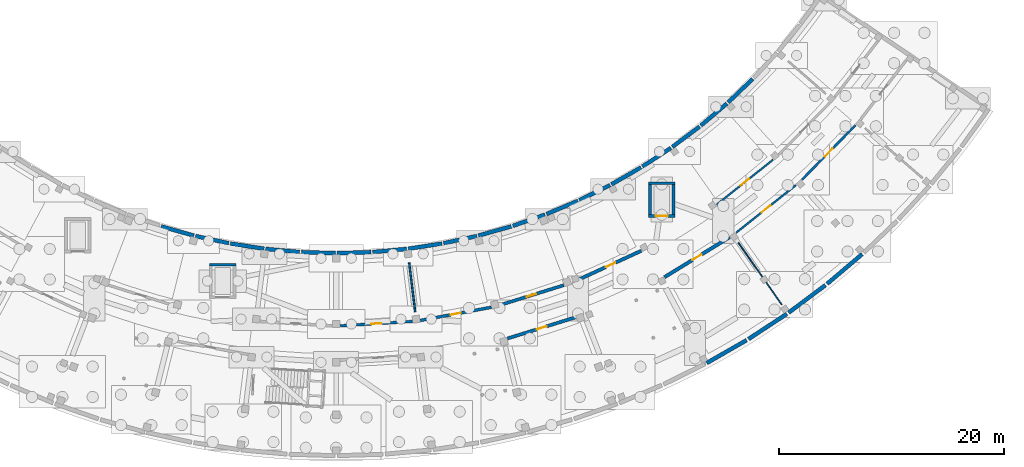
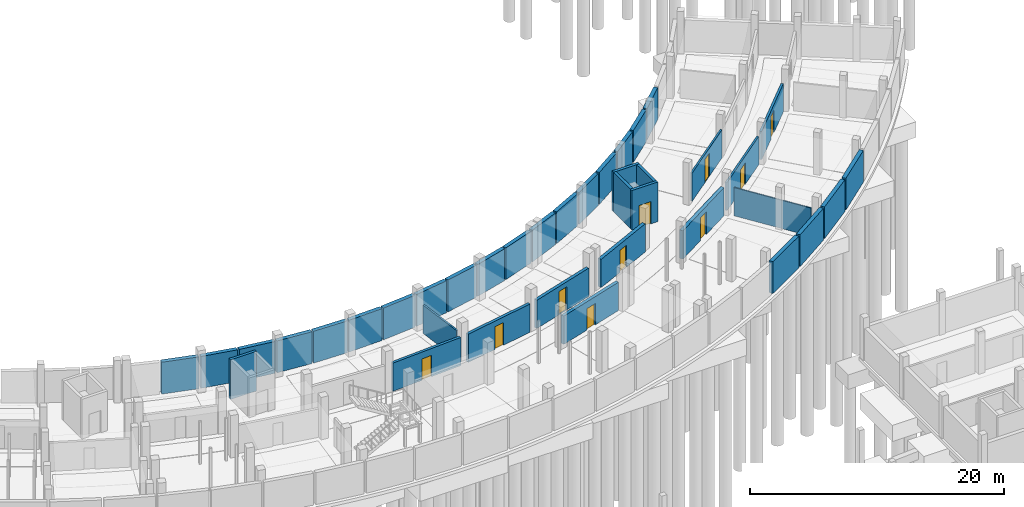
# One storey, part 42 of 58: 38 walls, 10 doors, 10 openings.
"""IFC4 building model written with IfcOpenShell, lengths in metres."""

from ifc_helpers import new_model, si_unit, direction, frame, frame_2d, origin, place, context, subcontext, project, spatial, rectangle, extrude, material, layer, layer_set, type_object, element, fill, save


model = new_model("IFC4")

# Units and contexts
model_context = context("Model", 3, precision=1e-05, world=origin(), true_north=direction((0.0, 1.0)))
body_context = subcontext(model_context, "Body", "Model", "MODEL_VIEW")
ifc_project = project(units=[si_unit("LENGTHUNIT", "METRE"), si_unit("AREAUNIT", "SQUARE_METRE"), si_unit("VOLUMEUNIT", "CUBIC_METRE"), si_unit("PLANEANGLEUNIT", "RADIAN"), si_unit("MASSUNIT", "GRAM", prefix="KILO")], contexts=[model_context])

# Site, building, storey
site_placement = place(None, origin())
site = spatial("IfcSite", under=ifc_project, at=site_placement, CompositionType="ELEMENT")
building_placement = place(site_placement, origin())
building = spatial("IfcBuilding", under=site, at=building_placement, Name="Caldaven Crescent School", CompositionType="ELEMENT")
storey_placement = place(building_placement, frame((0.0, 0.0, -4.080078125)))
storey = spatial("IfcBuildingStorey", under=building, at=storey_placement, Name="B1", CompositionType="ELEMENT", Elevation=-4.080078125)

# Walls
ifc_material_1 = material(Name="Concrete C35/45", Category="concrete")
ifc_layer_1 = layer(ifc_material_1, 0.300048828125)
ifc_layer_set_1 = layer_set([ifc_layer_1], Name="Concrete C35/45")
wall_type_1 = type_object("IfcWallType", Name="WAL-CW1", PredefinedType="SHEAR", material=ifc_layer_set_1)
for number, where, z_axis, x_axis, name in (
    (1, (76.729248046875, 42.977783203125, 0.0), (0.0, 0.0, 1.0), (1.0, 0.0, 0.0), "CW-LF5-B1-N"),
    (2, (115.771484375, 50.213623046875, 0.0), (0.0, 0.0, 1.0), (1.0, 0.0, 0.0), "CW-LF6-B1-N"),
):
    element("IfcWall", number, at=place(storey_placement, frame(where, z_axis=z_axis, x_axis=x_axis)), inside=storey, type_object=wall_type_1, Name=name, PredefinedType="SHEAR", context=body_context, shape_type="SweptSolid", body=[
        extrude(rectangle(XDim=2.349853515625, YDim=0.25, at=frame_2d((1.1748046875, 0.0))), origin(), (0.0, 0.0, 1.0), 3.820068359375),
    ])

# Wall, opening, door
wall_1_placement = place(storey_placement, frame((115.771484375, 47.313720703125, 0.0), z_axis=(0.0, 0.0, 1.0), x_axis=(1.0, 0.0, 0.0)))
wall_1 = element("IfcWall", 3, at=wall_1_placement, inside=storey, type_object=wall_type_1, Name="CW-LF6-B1-S", PredefinedType="SHEAR", context=body_context, shape_type="SweptSolid", body=[
    extrude(rectangle(XDim=2.349853515625, YDim=0.25, at=frame_2d((1.1748046875, 0.0))), origin(), (0.0, 0.0, 1.0), 3.820068359375),
])
opening_1_placement = place(wall_1_placement, frame((0.625, 0.0, 0.0)))
opening_1 = element("IfcOpeningElement", 4, at=opening_1_placement, cuts=wall_1, Name="Opening LD-LF6-B1", PredefinedType="OPENING", context=body_context, shape_type="SweptSolid", body=[
    extrude(rectangle(XDim=1.10009765625, YDim=2.14990234375, at=frame_2d((0.550048828125, 1.074951171875))), frame((0.0, 0.135009765625, 0.0), z_axis=(0.0, -1.0, 0.0), x_axis=(1.0, 0.0, 0.0)), (0.0, 0.0, 1.0), 0.27001953125),
])
ifc_material_2 = material(Name="Brushed stainless-steel automatic telescopic landing door", Category="steel")
door_type_1 = type_object("IfcDoorType", Name="DOR-LD01", OperationType="DOUBLE_DOOR_SLIDING", PredefinedType="DOOR", material=ifc_material_2)
door_1_placement = place(opening_1_placement, origin())
door_1 = element("IfcDoor", 5, at=door_1_placement, inside=storey, type_object=door_type_1, Name="DOR-LD-LF6-B1", OperationType="DOUBLE_DOOR_SLIDING", OverallHeight=2.14990234375, OverallWidth=1.10009765625, PredefinedType="DOOR", context=body_context, shape_type="SweptSolid", body=[
    extrude(rectangle(XDim=1.10009765625, YDim=2.14990234375, at=frame_2d((0.550048828125, 1.074951171875))), frame((0.0, 0.02490234375, 0.0), z_axis=(0.0, -1.0, 0.0), x_axis=(1.0, 0.0, 0.0)), (0.0, 0.0, 1.0), 0.050048828125),
])
fill(opening_1, door_1)

# Walls
ifc_layer_2 = layer(ifc_material_1, 0.25)
ifc_layer_set_2 = layer_set([ifc_layer_2], Name="Concrete C35/45")
wall_type_2 = type_object("IfcWallType", Name="WAL-CW2", PredefinedType="SHEAR", material=ifc_layer_set_2)
for number, where, z_axis, x_axis, name in (
    (6, (115.896484375, 47.438720703125, 0.0), (0.0, 0.0, 1.0), (0.0, 1.0, 0.0), "CW-LF6-B1-W"),
    (7, (117.996337890625, 47.438720703125, 0.0), (0.0, 0.0, 1.0), (0.0, 1.0, 0.0), "CW-LF6-B1-E"),
):
    element("IfcWall", number, at=place(storey_placement, frame(where, z_axis=z_axis, x_axis=x_axis)), inside=storey, type_object=wall_type_2, Name=name, PredefinedType="SHEAR", context=body_context, shape_type="SweptSolid", body=[
        extrude(rectangle(XDim=2.64990234375, YDim=0.25, at=frame_2d((1.324951171875, 0.0))), origin(), (0.0, 0.0, 1.0), 3.820068359375),
    ])

# Wall, opening, door
ifc_material_3 = material(Name="Acoustic timber-stud and fire-rated gypsum board assembly", Category="wood")
ifc_layer_3 = layer(ifc_material_3, 0.159912109375)
ifc_layer_set_3 = layer_set([ifc_layer_3], Name="Acoustic timber-stud and fire-rated gypsum board assembly")
wall_type_3 = type_object("IfcWallType", Name="WAL-IW01", PredefinedType="STANDARD", material=ifc_layer_set_3)
wall_2_placement = place(storey_placement, frame((121.824462890625, 48.320068359375, 0.0), z_axis=(0.0, 0.0, 1.0), x_axis=(0.782605685559, 0.622517743467, 0.0)))
wall_2 = element("IfcWall", 8, at=wall_2_placement, inside=storey, type_object=wall_type_3, Name="IW-B1-0160", PredefinedType="STANDARD", context=body_context, shape_type="SweptSolid", body=[
    extrude(rectangle(XDim=6.42041015625, YDim=0.159912109375, at=frame_2d((3.210205078125, 0.0))), origin(), (0.0, 0.0, 1.0), 2.719970703125),
])
opening_2_placement = place(wall_2_placement, frame((2.739990234375, 0.0, 0.0)))
opening_2 = element("IfcOpeningElement", 9, at=opening_2_placement, cuts=wall_2, Name="Opening D-B1-I111", PredefinedType="OPENING", context=body_context, shape_type="SweptSolid", body=[
    extrude(rectangle(XDim=0.93994140625, YDim=2.239990234375, at=frame_2d((0.469970703125, 1.1201171875))), frame((0.0, 0.08984375, 0.0), z_axis=(0.0, -1.0, 0.0), x_axis=(1.0, 0.0, 0.0)), (0.0, 0.0, 1.0), 0.179931640625),
])
ifc_material_4 = material(Name="Solid-core Pino Radiata acoustic timber leaf in steel frame", Category="steel")
door_type_2 = type_object("IfcDoorType", Name="DOR-ID12", OperationType="NOTDEFINED", PredefinedType="DOOR", material=ifc_material_4)
door_2_placement = place(opening_2_placement, frame((0.93994140625, 0.0, 0.0), z_axis=(0.0, 0.0, 1.0), x_axis=(-1.0, 0.0, 0.0)))
door_2 = element("IfcDoor", 10, at=door_2_placement, inside=storey, type_object=door_type_2, Name="DOR-INT-B1-0111", OperationType="SINGLE_SWING_RIGHT", OverallHeight=2.239990234375, OverallWidth=0.93994140625, PredefinedType="DOOR", context=body_context, shape_type="SweptSolid", body=[
    extrude(rectangle(XDim=0.93994140625, YDim=2.239990234375, at=frame_2d((0.469970703125, 1.1201171875))), frame((0.0, 0.02490234375, 0.0), z_axis=(0.0, -1.0, 0.0), x_axis=(1.0, 0.0, 0.0)), (0.0, 0.0, 1.0), 0.050048828125),
])
fill(opening_2, door_2)

ifc_layer_4 = layer(ifc_material_3, 0.169921875)
ifc_layer_set_4 = layer_set([ifc_layer_4], Name="Acoustic timber-stud and fire-rated gypsum board assembly")
wall_type_4 = type_object("IfcWallType", Name="WAL-IW02", PredefinedType="STANDARD", material=ifc_layer_set_4)
wall_3_placement = place(storey_placement, frame((123.568115234375, 45.829833984375, 0.0), z_axis=(0.0, 0.0, 1.0), x_axis=(0.782615780998, 0.622505051653, 0.0)))
wall_3 = element("IfcWall", 11, at=wall_3_placement, inside=storey, type_object=wall_type_4, Name="IW-B1-0161", PredefinedType="STANDARD", context=body_context, shape_type="SweptSolid", body=[
    extrude(rectangle(XDim=6.79150390625, YDim=0.169921875, at=frame_2d((3.395751953125, 0.0))), origin(), (0.0, 0.0, 1.0), 2.719970703125),
])
opening_3_placement = place(wall_3_placement, frame((2.90576171875, 0.0, 0.0)))
opening_3 = element("IfcOpeningElement", 12, at=opening_3_placement, cuts=wall_3, Name="Opening D-B1-I112", PredefinedType="OPENING", context=body_context, shape_type="SweptSolid", body=[
    extrude(rectangle(XDim=0.97998046875, YDim=2.06005859375, at=frame_2d((0.489990234375, 1.030029296875))), frame((0.0, 0.094970703125, 0.0), z_axis=(0.0, -1.0, 0.0), x_axis=(1.0, 0.0, 0.0)), (0.0, 0.0, 1.0), 0.18994140625),
])
door_type_3 = type_object("IfcDoorType", Name="DOR-ID13", OperationType="NOTDEFINED", PredefinedType="DOOR", material=ifc_material_4)
door_3_placement = place(opening_3_placement, origin())
door_3 = element("IfcDoor", 13, at=door_3_placement, inside=storey, type_object=door_type_3, Name="DOR-INT-B1-0112", OperationType="SINGLE_SWING_LEFT", OverallHeight=2.06005859375, OverallWidth=0.97998046875, PredefinedType="DOOR", context=body_context, shape_type="SweptSolid", body=[
    extrude(rectangle(XDim=0.97998046875, YDim=2.06005859375, at=frame_2d((0.489990234375, 1.030029296875))), frame((0.0, 0.02490234375, 0.0), z_axis=(0.0, -1.0, 0.0), x_axis=(1.0, 0.0, 0.0)), (0.0, 0.0, 1.0), 0.050048828125),
])
fill(opening_3, door_3)

ifc_layer_5 = layer(ifc_material_3, 0.199951171875)
ifc_layer_set_5 = layer_set([ifc_layer_5], Name="Acoustic timber-stud and fire-rated gypsum board assembly")
wall_type_5 = type_object("IfcWallType", Name="WAL-IW05", PredefinedType="STANDARD", material=ifc_layer_set_5)
wall_4_placement = place(storey_placement, frame((129.417236328125, 50.53857421875, 0.0), z_axis=(0.0, 0.0, 1.0), x_axis=(0.700914816473, 0.713244993006, 0.0)))
wall_4 = element("IfcWall", 14, at=wall_4_placement, inside=storey, type_object=wall_type_5, Name="IW-B1-0164", PredefinedType="STANDARD", context=body_context, shape_type="SweptSolid", body=[
    extrude(rectangle(XDim=6.79150390625, YDim=0.199951171875, at=frame_2d((3.395751953125, 0.0))), origin(), (0.0, 0.0, 1.0), 2.719970703125),
])
opening_4_placement = place(wall_4_placement, frame((2.90576171875, 0.0, 0.0)))
opening_4 = element("IfcOpeningElement", 15, at=opening_4_placement, cuts=wall_4, Name="Opening D-B1-I114", PredefinedType="OPENING", context=body_context, shape_type="SweptSolid", body=[
    extrude(rectangle(XDim=0.97998046875, YDim=2.179931640625, at=frame_2d((0.489990234375, 1.08984375))), frame((0.0, 0.10986328125, 0.0), z_axis=(0.0, -1.0, 0.0), x_axis=(1.0, 0.0, 0.0)), (0.0, 0.0, 1.0), 0.219970703125),
])
door_type_4 = type_object("IfcDoorType", Name="DOR-ID15", OperationType="NOTDEFINED", PredefinedType="DOOR", material=ifc_material_4)
door_4_placement = place(opening_4_placement, origin())
door_4 = element("IfcDoor", 16, at=door_4_placement, inside=storey, type_object=door_type_4, Name="DOR-INT-B1-0114", OperationType="SINGLE_SWING_LEFT", OverallHeight=2.179931640625, OverallWidth=0.97998046875, PredefinedType="DOOR", context=body_context, shape_type="SweptSolid", body=[
    extrude(rectangle(XDim=0.97998046875, YDim=2.179931640625, at=frame_2d((0.489990234375, 1.08984375))), frame((0.0, 0.02490234375, 0.0), z_axis=(0.0, -1.0, 0.0), x_axis=(1.0, 0.0, 0.0)), (0.0, 0.0, 1.0), 0.050048828125),
])
fill(opening_4, door_4)

ifc_layer_6 = layer(ifc_material_3, 0.239990234375)
ifc_layer_set_6 = layer_set([ifc_layer_6], Name="Acoustic timber-stud and fire-rated gypsum board assembly")
wall_type_6 = type_object("IfcWallType", Name="WAL-IW09", PredefinedType="STANDARD", material=ifc_layer_set_6)
wall_5_placement = place(storey_placement, frame((88.359375, 37.5419921875, 0.0), z_axis=(0.0, 0.0, 1.0), x_axis=(0.998135716959, 0.061033519724, 0.0)))
wall_5 = element("IfcWall", 17, at=wall_5_placement, inside=storey, type_object=wall_type_6, Name="IW-B1-0152", PredefinedType="STANDARD", context=body_context, shape_type="SweptSolid", body=[
    extrude(rectangle(XDim=6.420166015625, YDim=0.239990234375, at=frame_2d((3.2099609375, 0.0))), origin(), (0.0, 0.0, 1.0), 2.719970703125),
])
opening_5_placement = place(wall_5_placement, frame((2.760009765625, 0.0, 0.0)))
opening_5 = element("IfcOpeningElement", 18, at=opening_5_placement, cuts=wall_5, Name="Opening D-B1-I104", PredefinedType="OPENING", context=body_context, shape_type="SweptSolid", body=[
    extrude(rectangle(XDim=0.89990234375, YDim=2.06005859375, at=frame_2d((0.449951171875, 1.030029296875))), frame((0.0, 0.1298828125, 0.0), z_axis=(0.0, -1.0, 0.0), x_axis=(1.0, 0.0, 0.0)), (0.0, 0.0, 1.0), 0.260009765625),
])
door_type_5 = type_object("IfcDoorType", Name="DOR-ID05", OperationType="NOTDEFINED", PredefinedType="DOOR", material=ifc_material_4)
door_5_placement = place(opening_5_placement, frame((0.89990234375, 0.0, 0.0), z_axis=(0.0, 0.0, 1.0), x_axis=(-1.0, 0.0, 0.0)))
door_5 = element("IfcDoor", 19, at=door_5_placement, inside=storey, type_object=door_type_5, Name="DOR-INT-B1-0104", OperationType="SINGLE_SWING_LEFT", OverallHeight=2.06005859375, OverallWidth=0.89990234375, PredefinedType="DOOR", context=body_context, shape_type="SweptSolid", body=[
    extrude(rectangle(XDim=0.89990234375, YDim=2.06005859375, at=frame_2d((0.449951171875, 1.030029296875))), frame((0.0, 0.02490234375, 0.0), z_axis=(0.0, -1.0, 0.0), x_axis=(1.0, 0.0, 0.0)), (0.0, 0.0, 1.0), 0.050048828125),
])
fill(opening_5, door_5)

ifc_layer_7 = layer(ifc_material_3, 0.260009765625)
ifc_layer_set_7 = layer_set([ifc_layer_7], Name="Acoustic timber-stud and fire-rated gypsum board assembly")
wall_type_7 = type_object("IfcWallType", Name="WAL-IW11", PredefinedType="STANDARD", material=ifc_layer_set_7)
wall_6_placement = place(storey_placement, frame((95.48095703125, 38.021484375, 0.0), z_axis=(0.0, 0.0, 1.0), x_axis=(0.983257031249, 0.182224066742, 0.0)))
wall_6 = element("IfcWall", 20, at=wall_6_placement, inside=storey, type_object=wall_type_7, Name="IW-B1-0154", PredefinedType="STANDARD", context=body_context, shape_type="SweptSolid", body=[
    extrude(rectangle(XDim=6.420166015625, YDim=0.260009765625, at=frame_2d((3.2099609375, 0.0))), origin(), (0.0, 0.0, 1.0), 2.719970703125),
])
opening_6_placement = place(wall_6_placement, frame((2.760009765625, 0.0, 0.0)))
opening_6 = element("IfcOpeningElement", 21, at=opening_6_placement, cuts=wall_6, Name="Opening D-B1-I106", PredefinedType="OPENING", context=body_context, shape_type="SweptSolid", body=[
    extrude(rectangle(XDim=0.89990234375, YDim=2.179931640625, at=frame_2d((0.449951171875, 1.08984375))), frame((0.0, 0.139892578125, 0.0), z_axis=(0.0, -1.0, 0.0), x_axis=(1.0, 0.0, 0.0)), (0.0, 0.0, 1.0), 0.280029296875),
])
door_type_6 = type_object("IfcDoorType", Name="DOR-ID07", OperationType="NOTDEFINED", PredefinedType="DOOR", material=ifc_material_4)
door_6_placement = place(opening_6_placement, frame((0.89990234375, 0.0, 0.0), z_axis=(0.0, 0.0, 1.0), x_axis=(-1.0, 0.0, 0.0)))
door_6 = element("IfcDoor", 22, at=door_6_placement, inside=storey, type_object=door_type_6, Name="DOR-INT-B1-0106", OperationType="SINGLE_SWING_LEFT", OverallHeight=2.179931640625, OverallWidth=0.89990234375, PredefinedType="DOOR", context=body_context, shape_type="SweptSolid", body=[
    extrude(rectangle(XDim=0.89990234375, YDim=2.179931640625, at=frame_2d((0.449951171875, 1.08984375))), frame((0.0, 0.02490234375, 0.0), z_axis=(0.0, -1.0, 0.0), x_axis=(1.0, 0.0, 0.0)), (0.0, 0.0, 1.0), 0.050048828125),
])
fill(opening_6, door_6)

ifc_material_5 = material(Name="Autoclaved aerated concrete block masonry G5", Category="masonry")
ifc_layer_8 = layer(ifc_material_5, 0.280029296875)
ifc_layer_set_8 = layer_set([ifc_layer_8], Name="Autoclaved aerated concrete block masonry G5")
wall_type_8 = type_object("IfcWallType", Name="WAL-IW13", PredefinedType="STANDARD", material=ifc_layer_set_8)
wall_7_placement = place(storey_placement, frame((102.4912109375, 39.3642578125, 0.0), z_axis=(0.0, 0.0, 1.0), x_axis=(0.954756741519, 0.297387902451, 0.0)))
wall_7 = element("IfcWall", 23, at=wall_7_placement, inside=storey, type_object=wall_type_8, Name="IW-B1-0156", PredefinedType="STANDARD", context=body_context, shape_type="SweptSolid", body=[
    extrude(rectangle(XDim=6.018310546875, YDim=0.280029296875, at=frame_2d((3.00927734375, 0.0))), origin(), (0.0, 0.0, 1.0), 2.719970703125),
])
opening_7_placement = place(wall_7_placement, frame((2.55908203125, 0.0, 0.0)))
opening_7 = element("IfcOpeningElement", 24, at=opening_7_placement, cuts=wall_7, Name="Opening D-B1-I107", PredefinedType="OPENING", context=body_context, shape_type="SweptSolid", body=[
    extrude(rectangle(XDim=0.89990234375, YDim=2.239990234375, at=frame_2d((0.449951171875, 1.1201171875))), frame((0.0, 0.14990234375, 0.0), z_axis=(0.0, -1.0, 0.0), x_axis=(1.0, 0.0, 0.0)), (0.0, 0.0, 1.0), 0.300048828125),
])
door_type_7 = type_object("IfcDoorType", Name="DOR-ID08", OperationType="NOTDEFINED", PredefinedType="DOOR", material=ifc_material_4)
door_7_placement = place(opening_7_placement, frame((0.89990234375, 0.0, 0.0), z_axis=(0.0, 0.0, 1.0), x_axis=(-1.0, 0.0, 0.0)))
door_7 = element("IfcDoor", 25, at=door_7_placement, inside=storey, type_object=door_type_7, Name="DOR-INT-B1-0107", OperationType="SINGLE_SWING_RIGHT", OverallHeight=2.239990234375, OverallWidth=0.89990234375, PredefinedType="DOOR", context=body_context, shape_type="SweptSolid", body=[
    extrude(rectangle(XDim=0.89990234375, YDim=2.239990234375, at=frame_2d((0.449951171875, 1.1201171875))), frame((0.0, 0.02490234375, 0.0), z_axis=(0.0, -1.0, 0.0), x_axis=(1.0, 0.0, 0.0)), (0.0, 0.0, 1.0), 0.050048828125),
])
fill(opening_7, door_7)

ifc_layer_9 = layer(ifc_material_5, 0.2900390625)
ifc_layer_set_9 = layer_set([ifc_layer_9], Name="Autoclaved aerated concrete block masonry G5")
wall_type_9 = type_object("IfcWallType", Name="WAL-IW14", PredefinedType="STANDARD", material=ifc_layer_set_9)
wall_8_placement = place(storey_placement, frame((103.226806640625, 36.41455078125, 0.0), z_axis=(0.0, 0.0, 1.0), x_axis=(0.954750390155, 0.297408292585, 0.0)))
wall_8 = element("IfcWall", 26, at=wall_8_placement, inside=storey, type_object=wall_type_9, Name="IW-B1-0157", PredefinedType="STANDARD", context=body_context, shape_type="SweptSolid", body=[
    extrude(rectangle(XDim=6.368408203125, YDim=0.2900390625, at=frame_2d((3.18408203125, 0.0))), origin(), (0.0, 0.0, 1.0), 2.719970703125),
])
opening_8_placement = place(wall_8_placement, frame((2.71435546875, 0.0, 0.0)))
opening_8 = element("IfcOpeningElement", 27, at=opening_8_placement, cuts=wall_8, Name="Opening D-B1-I108", PredefinedType="OPENING", context=body_context, shape_type="SweptSolid", body=[
    extrude(rectangle(XDim=0.93994140625, YDim=2.06005859375, at=frame_2d((0.469970703125, 1.030029296875))), frame((0.0, 0.155029296875, 0.0), z_axis=(0.0, -1.0, 0.0), x_axis=(1.0, 0.0, 0.0)), (0.0, 0.0, 1.0), 0.31005859375),
])
door_type_8 = type_object("IfcDoorType", Name="DOR-ID09", OperationType="NOTDEFINED", PredefinedType="DOOR", material=ifc_material_4)
door_8_placement = place(opening_8_placement, origin())
door_8 = element("IfcDoor", 28, at=door_8_placement, inside=storey, type_object=door_type_8, Name="DOR-INT-B1-0108", OperationType="SINGLE_SWING_LEFT", OverallHeight=2.06005859375, OverallWidth=0.93994140625, PredefinedType="DOOR", context=body_context, shape_type="SweptSolid", body=[
    extrude(rectangle(XDim=0.93994140625, YDim=2.06005859375, at=frame_2d((0.469970703125, 1.030029296875))), frame((0.0, 0.02490234375, 0.0), z_axis=(0.0, -1.0, 0.0), x_axis=(1.0, 0.0, 0.0)), (0.0, 0.0, 1.0), 0.050048828125),
])
fill(opening_8, door_8)

ifc_layer_10 = layer(ifc_material_5, 0.300048828125)
ifc_layer_set_10 = layer_set([ifc_layer_10], Name="Autoclaved aerated concrete block masonry G5")
wall_type_10 = type_object("IfcWallType", Name="WAL-IW15", PredefinedType="STANDARD", material=ifc_layer_set_10)
wall_9_placement = place(storey_placement, frame((109.659912109375, 41.7001953125, 0.0), z_axis=(0.0, 0.0, 1.0), x_axis=(0.908523717144, 0.417833286595, 0.0)))
wall_9 = element("IfcWall", 29, at=wall_9_placement, inside=storey, type_object=wall_type_10, Name="IW-B1-0158", PredefinedType="STANDARD", context=body_context, shape_type="SweptSolid", body=[
    extrude(rectangle(XDim=6.018310546875, YDim=0.300048828125, at=frame_2d((3.00927734375, 0.0))), origin(), (0.0, 0.0, 1.0), 2.719970703125),
])
opening_9_placement = place(wall_9_placement, frame((2.5390625, 0.0, 0.0)))
opening_9 = element("IfcOpeningElement", 30, at=opening_9_placement, cuts=wall_9, Name="Opening D-B1-I109", PredefinedType="OPENING", context=body_context, shape_type="SweptSolid", body=[
    extrude(rectangle(XDim=0.93994140625, YDim=2.1201171875, at=frame_2d((0.469970703125, 1.06005859375))), frame((0.0, 0.159912109375, 0.0), z_axis=(0.0, -1.0, 0.0), x_axis=(1.0, 0.0, 0.0)), (0.0, 0.0, 1.0), 0.320068359375),
])
door_type_9 = type_object("IfcDoorType", Name="DOR-ID10", OperationType="NOTDEFINED", PredefinedType="DOOR", material=ifc_material_4)
door_9_placement = place(opening_9_placement, frame((0.93994140625, 0.0, 0.0), z_axis=(0.0, 0.0, 1.0), x_axis=(-1.0, 0.0, 0.0)))
door_9 = element("IfcDoor", 31, at=door_9_placement, inside=storey, type_object=door_type_9, Name="DOR-INT-B1-0109", OperationType="SINGLE_SWING_RIGHT", OverallHeight=2.1201171875, OverallWidth=0.93994140625, PredefinedType="DOOR", context=body_context, shape_type="SweptSolid", body=[
    extrude(rectangle(XDim=0.93994140625, YDim=2.1201171875, at=frame_2d((0.469970703125, 1.06005859375))), frame((0.0, 0.02490234375, 0.0), z_axis=(0.0, -1.0, 0.0), x_axis=(1.0, 0.0, 0.0)), (0.0, 0.0, 1.0), 0.050048828125),
])
fill(opening_9, door_9)

ifc_layer_11 = layer(ifc_material_5, 0.31005859375)
ifc_layer_set_11 = layer_set([ifc_layer_11], Name="Autoclaved aerated concrete block masonry G5")
wall_type_11 = type_object("IfcWallType", Name="WAL-IW16", PredefinedType="STANDARD", material=ifc_layer_set_11)
wall_10_placement = place(storey_placement, frame((117.188720703125, 41.869140625, 0.0), z_axis=(0.0, 0.0, 1.0), x_axis=(0.852640514979, 0.522497992547, 0.0)))
wall_10 = element("IfcWall", 32, at=wall_10_placement, inside=storey, type_object=wall_type_11, Name="IW-B1-0159", PredefinedType="STANDARD", context=body_context, shape_type="SweptSolid", body=[
    extrude(rectangle(XDim=6.79150390625, YDim=0.31005859375, at=frame_2d((3.395751953125, 0.0))), origin(), (0.0, 0.0, 1.0), 2.719970703125),
])
opening_10_placement = place(wall_10_placement, frame((2.92578125, 0.0, 0.0)))
opening_10 = element("IfcOpeningElement", 33, at=opening_10_placement, cuts=wall_10, Name="Opening D-B1-I110", PredefinedType="OPENING", context=body_context, shape_type="SweptSolid", body=[
    extrude(rectangle(XDim=0.93994140625, YDim=2.179931640625, at=frame_2d((0.469970703125, 1.08984375))), frame((0.0, 0.1650390625, 0.0), z_axis=(0.0, -1.0, 0.0), x_axis=(1.0, 0.0, 0.0)), (0.0, 0.0, 1.0), 0.330078125),
])
door_type_10 = type_object("IfcDoorType", Name="DOR-ID11", OperationType="NOTDEFINED", PredefinedType="DOOR", material=ifc_material_4)
door_10_placement = place(opening_10_placement, origin())
door_10 = element("IfcDoor", 34, at=door_10_placement, inside=storey, type_object=door_type_10, Name="DOR-INT-B1-0110", OperationType="SINGLE_SWING_LEFT", OverallHeight=2.179931640625, OverallWidth=0.93994140625, PredefinedType="DOOR", context=body_context, shape_type="SweptSolid", body=[
    extrude(rectangle(XDim=0.93994140625, YDim=2.179931640625, at=frame_2d((0.469970703125, 1.08984375))), frame((0.0, 0.02490234375, 0.0), z_axis=(0.0, -1.0, 0.0), x_axis=(1.0, 0.0, 0.0)), (0.0, 0.0, 1.0), 0.050048828125),
])
fill(opening_10, door_10)

# Walls
ifc_material_6 = material(Name="Acoustic double-layer gypsum partition on galvanised steel studs", Category="steel")
ifc_layer_12 = layer(ifc_material_6, 0.097900390625)
ifc_layer_set_12 = layer_set([ifc_layer_12], Name="Acoustic double-layer gypsum partition on galvanised steel studs")
wall_type_12 = type_object("IfcWallType", Name="WAL-PT03", PredefinedType="PARTITIONING", material=ifc_layer_set_12)
wall_11_placement = place(storey_placement, frame((123.762451171875, 44.92578125, 0.0), z_axis=(0.0, 0.0, 1.0), x_axis=(0.57358461614, -0.819146316678, 0.0)))
element("IfcWall", 35, at=wall_11_placement, inside=storey, type_object=wall_type_12, Name="IW-B1-0162", PredefinedType="PARTITIONING", context=body_context, shape_type="SweptSolid", body=[
    extrude(rectangle(XDim=6.699951171875, YDim=0.097900390625, at=frame_2d((3.35009765625, 0.0))), origin(), (0.0, 0.0, 1.0), 2.719970703125),
])
ifc_layer_13 = layer(ifc_material_6, 0.152099609375)
ifc_layer_set_13 = layer_set([ifc_layer_13], Name="Acoustic double-layer gypsum partition on galvanised steel studs")
wall_type_13 = type_object("IfcWallType", Name="WAL-PT12", PredefinedType="PARTITIONING", material=ifc_layer_set_13)
wall_12_placement = place(storey_placement, frame((94.489501953125, 43.14697265625, 0.0), z_axis=(0.0, 0.0, 1.0), x_axis=(0.121903768305, -0.992541924189, 0.0)))
element("IfcWall", 36, at=wall_12_placement, inside=storey, type_object=wall_type_13, Name="IW-B1-0155", PredefinedType="PARTITIONING", context=body_context, shape_type="SweptSolid", body=[
    extrude(rectangle(XDim=4.39990234375, YDim=0.152099609375, at=frame_2d((2.199951171875, 0.0))), origin(), (0.0, 0.0, 1.0), 2.719970703125),
])
ifc_material_7 = material(Name="Concrete C30/37", Category="concrete")
ifc_layer_14 = layer(ifc_material_7, 0.35009765625)
ifc_layer_set_14 = layer_set([ifc_layer_14], Name="Concrete C30/37")
wall_type_14 = type_object("IfcWallType", Name="WAL-RW1", PredefinedType="USERDEFINED", material=ifc_layer_set_14)
wall_13_placement = place(storey_placement, frame((72.4326171875, 46.385009765625, 0.0), z_axis=(0.0, 0.0, 1.0), x_axis=(0.962448596704, -0.271463991538, 0.0)))
element("IfcWall", 37, at=wall_13_placement, inside=storey, type_object=wall_type_14, Name="RW-CRESC-IN-11", ObjectType="RETAININGWALL", PredefinedType="USERDEFINED", context=body_context, shape_type="SweptSolid", body=[
    extrude(rectangle(XDim=3.03076171875, YDim=0.35009765625, at=frame_2d((1.515380859375, 0.0))), origin(), (0.0, 0.0, 1.0), 3.065185546875),
])
for number, where, z_axis, x_axis, name in (
    (38, (75.490478515625, 45.527099609375, 0.0), (0.0, 0.0, 1.0), (0.977233034008, -0.212168794228, 0.0), "RW-CRESC-IN-12"),
    (39, (78.59521484375, 44.857666015625, 0.0), (0.0, 0.0, 1.0), (0.98835586154, -0.152160083329, 0.0), "RW-CRESC-IN-13"),
):
    element("IfcWall", number, at=place(storey_placement, frame(where, z_axis=z_axis, x_axis=x_axis)), inside=storey, type_object=wall_type_14, Name=name, ObjectType="RETAININGWALL", PredefinedType="USERDEFINED", context=body_context, shape_type="SweptSolid", body=[
        extrude(rectangle(XDim=3.031005859375, YDim=0.35009765625, at=frame_2d((1.515625, 0.0))), origin(), (0.0, 0.0, 1.0), 3.065185546875),
    ])
wall_14_placement = place(storey_placement, frame((81.73486328125, 44.37890625, 0.0), z_axis=(0.0, 0.0, 1.0), x_axis=(0.995804253947, -0.0915089494, 0.0)))
element("IfcWall", 40, at=wall_14_placement, inside=storey, type_object=wall_type_14, Name="RW-CRESC-IN-14", ObjectType="RETAININGWALL", PredefinedType="USERDEFINED", context=body_context, shape_type="SweptSolid", body=[
    extrude(rectangle(XDim=3.03076171875, YDim=0.35009765625, at=frame_2d((1.515380859375, 0.0))), origin(), (0.0, 0.0, 1.0), 3.065185546875),
])
for number, where, z_axis, x_axis, name in (
    (41, (84.89794921875, 44.092529296875, 0.0), (0.0, 0.0, 1.0), (0.999533908545, -0.030528112768, 0.0), "RW-CRESC-IN-15"),
    (42, (88.072509765625, 44.0, 0.0), (0.0, 0.0, 1.0), (0.999533908545, 0.030528112768, 0.0), "RW-CRESC-IN-16"),
):
    element("IfcWall", number, at=place(storey_placement, frame(where, z_axis=z_axis, x_axis=x_axis)), inside=storey, type_object=wall_type_14, Name=name, ObjectType="RETAININGWALL", PredefinedType="USERDEFINED", context=body_context, shape_type="SweptSolid", body=[
        extrude(rectangle(XDim=3.031005859375, YDim=0.35009765625, at=frame_2d((1.515625, 0.0))), origin(), (0.0, 0.0, 1.0), 3.065185546875),
    ])
wall_15_placement = place(storey_placement, frame((91.2470703125, 44.1015625, 0.0), z_axis=(0.0, 0.0, 1.0), x_axis=(0.995804253947, 0.0915089494, 0.0)))
element("IfcWall", 43, at=wall_15_placement, inside=storey, type_object=wall_type_14, Name="RW-CRESC-IN-17", ObjectType="RETAININGWALL", PredefinedType="USERDEFINED", context=body_context, shape_type="SweptSolid", body=[
    extrude(rectangle(XDim=3.03076171875, YDim=0.35009765625, at=frame_2d((1.515380859375, 0.0))), origin(), (0.0, 0.0, 1.0), 3.065185546875),
])
for number, where, z_axis, x_axis, name in (
    (44, (94.4091796875, 44.396484375, 0.0), (0.0, 0.0, 1.0), (0.98835586154, 0.152160083329, 0.0), "RW-CRESC-IN-18"),
    (45, (97.547607421875, 44.884033203125, 0.0), (0.0, 0.0, 1.0), (0.977233034008, 0.212168794228, 0.0), "RW-CRESC-IN-19"),
):
    element("IfcWall", number, at=place(storey_placement, frame(where, z_axis=z_axis, x_axis=x_axis)), inside=storey, type_object=wall_type_14, Name=name, ObjectType="RETAININGWALL", PredefinedType="USERDEFINED", context=body_context, shape_type="SweptSolid", body=[
        extrude(rectangle(XDim=3.031005859375, YDim=0.35009765625, at=frame_2d((1.515625, 0.0))), origin(), (0.0, 0.0, 1.0), 3.065185546875),
    ])
wall_16_placement = place(storey_placement, frame((100.650390625, 45.562255859375, 0.0), z_axis=(0.0, 0.0, 1.0), x_axis=(0.962448596704, 0.271463991538, 0.0)))
element("IfcWall", 46, at=wall_16_placement, inside=storey, type_object=wall_type_14, Name="RW-CRESC-IN-20", ObjectType="RETAININGWALL", PredefinedType="USERDEFINED", context=body_context, shape_type="SweptSolid", body=[
    extrude(rectangle(XDim=3.03076171875, YDim=0.35009765625, at=frame_2d((1.515380859375, 0.0))), origin(), (0.0, 0.0, 1.0), 3.065185546875),
])
wall_17_placement = place(storey_placement, frame((103.705810546875, 46.4287109375, 0.0), z_axis=(0.0, 0.0, 1.0), x_axis=(0.944118010469, 0.329607618705, 0.0)))
element("IfcWall", 47, at=wall_17_placement, inside=storey, type_object=wall_type_14, Name="RW-CRESC-IN-21", ObjectType="RETAININGWALL", PredefinedType="USERDEFINED", context=body_context, shape_type="SweptSolid", body=[
    extrude(rectangle(XDim=3.031005859375, YDim=0.35009765625, at=frame_2d((1.515625, 0.0))), origin(), (0.0, 0.0, 1.0), 3.065185546875),
])
for number, where, z_axis, x_axis, name in (
    (48, (106.702880859375, 47.47998046875, 0.0), (0.0, 0.0, 1.0), (0.922228665852, 0.386644911878, 0.0), "RW-CRESC-IN-22"),
    (49, (109.630126953125, 48.712158203125, 0.0), (0.0, 0.0, 1.0), (0.896862553837, 0.442309348223, 0.0), "RW-CRESC-IN-23"),
    (50, (112.4765625, 50.120849609375, 0.0), (0.0, 0.0, 1.0), (0.868203482341, 0.496208336539, 0.0), "RW-CRESC-IN-24"),
):
    element("IfcWall", number, at=place(storey_placement, frame(where, z_axis=z_axis, x_axis=x_axis)), inside=storey, type_object=wall_type_14, Name=name, ObjectType="RETAININGWALL", PredefinedType="USERDEFINED", context=body_context, shape_type="SweptSolid", body=[
        extrude(rectangle(XDim=3.03076171875, YDim=0.35009765625, at=frame_2d((1.515380859375, 0.0))), origin(), (0.0, 0.0, 1.0), 3.065185546875),
    ])
wall_18_placement = place(storey_placement, frame((120.94921875, 34.239501953125, 0.0), z_axis=(0.0, 0.0, 1.0), x_axis=(0.868187901771, 0.496235596484, 0.0)))
element("IfcWall", 51, at=wall_18_placement, inside=storey, type_object=wall_type_14, Name="RW-CRESC-OUT-24", ObjectType="RETAININGWALL", PredefinedType="USERDEFINED", context=body_context, shape_type="SweptSolid", body=[
    extrude(rectangle(XDim=4.080078125, YDim=0.35009765625, at=frame_2d((2.0400390625, 0.0))), origin(), (0.0, 0.0, 1.0), 3.065185546875),
])
wall_19_placement = place(storey_placement, frame((115.231689453125, 51.70068359375, 0.0), z_axis=(0.0, 0.0, 1.0), x_axis=(0.836276459037, 0.548308019328, 0.0)))
element("IfcWall", 52, at=wall_19_placement, inside=storey, type_object=wall_type_14, Name="RW-CRESC-IN-25", ObjectType="RETAININGWALL", PredefinedType="USERDEFINED", context=body_context, shape_type="SweptSolid", body=[
    extrude(rectangle(XDim=3.031005859375, YDim=0.35009765625, at=frame_2d((1.515625, 0.0))), origin(), (0.0, 0.0, 1.0), 3.065185546875),
])
wall_20_placement = place(storey_placement, frame((124.658203125, 36.3662109375, 0.0), z_axis=(0.0, 0.0, 1.0), x_axis=(0.836287997373, 0.548290420716, 0.0)))
element("IfcWall", 53, at=wall_20_placement, inside=storey, type_object=wall_type_14, Name="RW-CRESC-OUT-25", ObjectType="RETAININGWALL", PredefinedType="USERDEFINED", context=body_context, shape_type="SweptSolid", body=[
    extrude(rectangle(XDim=4.080078125, YDim=0.35009765625, at=frame_2d((2.0400390625, 0.0))), origin(), (0.0, 0.0, 1.0), 3.065185546875),
])
wall_21_placement = place(storey_placement, frame((117.885498046875, 53.44580078125, 0.0), z_axis=(0.0, 0.0, 1.0), x_axis=(0.801245208732, 0.598336122496, 0.0)))
element("IfcWall", 54, at=wall_21_placement, inside=storey, type_object=wall_type_14, Name="RW-CRESC-IN-26", ObjectType="RETAININGWALL", PredefinedType="USERDEFINED", context=body_context, shape_type="SweptSolid", body=[
    extrude(rectangle(XDim=3.03076171875, YDim=0.35009765625, at=frame_2d((1.515380859375, 0.0))), origin(), (0.0, 0.0, 1.0), 3.065185546875),
])
wall_22_placement = place(storey_placement, frame((128.23046875, 38.715576171875, 0.0), z_axis=(0.0, 0.0, 1.0), x_axis=(0.801247709208, 0.598332774038, 0.0)))
element("IfcWall", 55, at=wall_22_placement, inside=storey, type_object=wall_type_14, Name="RW-CRESC-OUT-26", ObjectType="RETAININGWALL", PredefinedType="USERDEFINED", context=body_context, shape_type="SweptSolid", body=[
    extrude(rectangle(XDim=4.079833984375, YDim=0.35009765625, at=frame_2d((2.0400390625, 0.0))), origin(), (0.0, 0.0, 1.0), 3.065185546875),
])
wall_23_placement = place(storey_placement, frame((120.427490234375, 55.349609375, 0.0), z_axis=(0.0, 0.0, 1.0), x_axis=(0.763239603692, 0.646115552635, 0.0)))
element("IfcWall", 56, at=wall_23_placement, inside=storey, type_object=wall_type_14, Name="RW-CRESC-IN-27", ObjectType="RETAININGWALL", PredefinedType="USERDEFINED", context=body_context, shape_type="SweptSolid", body=[
    extrude(rectangle(XDim=3.03076171875, YDim=0.35009765625, at=frame_2d((1.515380859375, 0.0))), origin(), (0.0, 0.0, 1.0), 3.065185546875),
])
wall_24_placement = place(storey_placement, frame((131.652587890625, 41.2783203125, 0.0), z_axis=(0.0, 0.0, 1.0), x_axis=(0.763204670494, 0.646156816057, 0.0)))
element("IfcWall", 57, at=wall_24_placement, inside=storey, type_object=wall_type_14, Name="RW-CRESC-OUT-27", ObjectType="RETAININGWALL", PredefinedType="USERDEFINED", context=body_context, shape_type="SweptSolid", body=[
    extrude(rectangle(XDim=4.079833984375, YDim=0.35009765625, at=frame_2d((2.0400390625, 0.0))), origin(), (0.0, 0.0, 1.0), 3.065185546875),
])
wall_25_placement = place(storey_placement, frame((122.8486328125, 57.405029296875, 0.0), z_axis=(0.0, 0.0, 1.0), x_axis=(0.722363654033, 0.691513377551, 0.0)))
element("IfcWall", 58, at=wall_25_placement, inside=storey, type_object=wall_type_14, Name="RW-CRESC-IN-28", ObjectType="RETAININGWALL", PredefinedType="USERDEFINED", context=body_context, shape_type="SweptSolid", body=[
    extrude(rectangle(XDim=3.031005859375, YDim=0.35009765625, at=frame_2d((1.515625, 0.0))), origin(), (0.0, 0.0, 1.0), 3.065185546875),
])

save(model, "model.ifc")
